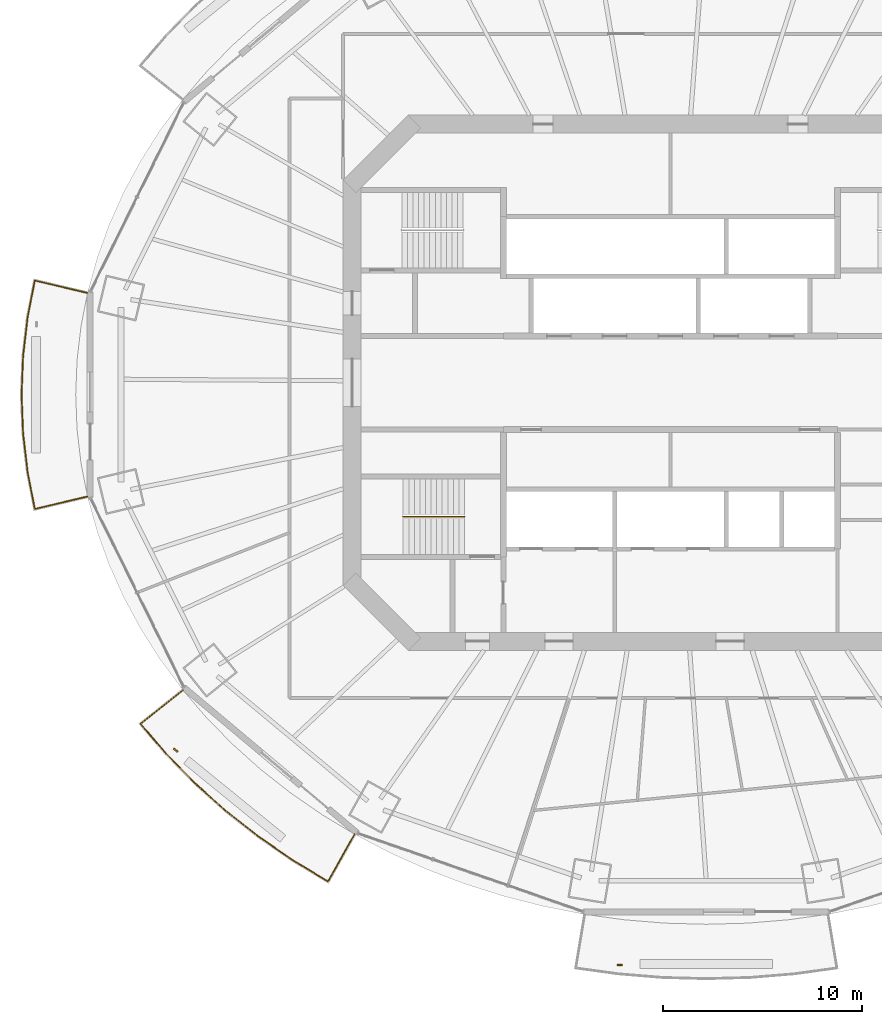
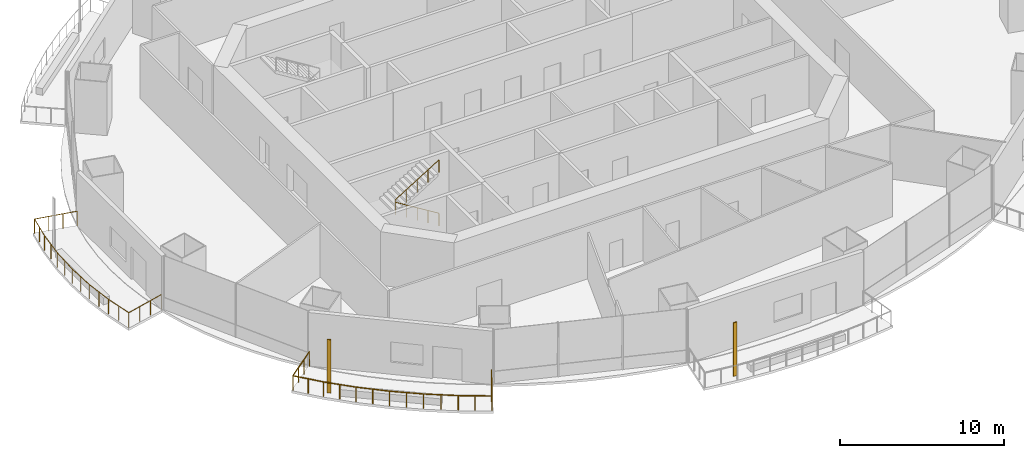
# One storey, part 16 of 21: 3 railings, 2 shading devices.
"""IFC4 building model written with IfcOpenShell, lengths in metres."""

import ifcopenshell
import ifcopenshell.guid

model = None  # the IFC model being written
_history = None  # IfcOwnerHistory: only IFC2X3 demands one
_inside = {}  # id of a spatial element -> (the spatial element, [elements in it])
_under = {}  # id of a project, library or spatial element -> (it, [spatial elements below it])
_declared = {}  # id of a project -> (the project, [libraries it declares])
_typed = {}  # id of a type object -> (the type object, [elements of that type])
_made_of = {}  # id of a material, layer set ... -> (it, [elements and type objects made of it])


def new_model(schema):
    """Start an empty IFC model of exactly this schema.

    Asked for "IFC4X3", IfcOpenShell would pick the latest addendum, in which some entities
    have other attributes; the version numbers below select the first issue.
    IFC2X3 requires an IfcOwnerHistory on every rooted entity: one is made here for all.
    """
    global model, _history
    if schema == "IFC4X3":
        model = ifcopenshell.file(schema_version=(4, 3, 0, 0))
    else:
        model = ifcopenshell.file(schema=schema)
    _inside.clear()
    _under.clear()
    _declared.clear()
    _typed.clear()
    _made_of.clear()
    _history = None
    if model.schema == "IFC2X3":
        org = make("IfcOrganization", Name="unknown")
        user = make(
            "IfcPersonAndOrganization",
            ThePerson=make("IfcPerson", FamilyName="unknown"),
            TheOrganization=org,
        )
        app = make(
            "IfcApplication",
            ApplicationDeveloper=org,
            Version="unknown",
            ApplicationFullName="unknown",
            ApplicationIdentifier="unknown",
        )
        _history = make(
            "IfcOwnerHistory",
            OwningUser=user,
            OwningApplication=app,
            ChangeAction="ADDED",
            CreationDate=0,
        )
    return model


def make(cls, **values):
    """One entity of the class cls with the attributes given. An attribute that is None is left unset."""
    return model.create_entity(
        cls, **{name: value for name, value in values.items() if value is not None}
    )


def rooted(cls, **values):
    """An entity with a GlobalId (a new one), such as an element, a storey or a relation."""
    return make(cls, GlobalId=ifcopenshell.guid.new(), OwnerHistory=_history, **values)


def si_unit(unit_type, name, prefix=None):
    """IfcSIUnit, for example si_unit("LENGTHUNIT", "METRE", prefix="MILLI")."""
    return make("IfcSIUnit", UnitType=unit_type, Prefix=prefix, Name=name)


def assignment(units):
    """IfcUnitAssignment: the units of a project."""
    return None if units is None else make("IfcUnitAssignment", Units=units)


def point(xyz):
    """IfcCartesianPoint."""
    return None if xyz is None else make("IfcCartesianPoint", Coordinates=xyz)


def direction(xyz):
    """IfcDirection."""
    return None if xyz is None else make("IfcDirection", DirectionRatios=xyz)


def frame(location, z_axis=None, x_axis=None):
    """IfcAxis2Placement3D, a coordinate frame: its origin and axes. An axis left out is left unset."""
    return make(
        "IfcAxis2Placement3D",
        Location=point(location),
        Axis=direction(z_axis),
        RefDirection=direction(x_axis),
    )


def frame_2d(location, x_axis=None):
    """IfcAxis2Placement2D, a coordinate frame in the plane: its origin and x axis."""
    return make(
        "IfcAxis2Placement2D", Location=point(location), RefDirection=direction(x_axis)
    )


def origin():
    """The frame at (0, 0, 0) with its axes left unset."""
    return frame((0.0, 0.0, 0.0))


def origin_2d():
    """The frame at (0, 0) in the plane with its x axis left unset."""
    return frame_2d((0.0, 0.0))


def place(relative_to, where):
    """IfcLocalPlacement: puts the frame where relative to a parent placement (None: the world)."""
    return make(
        "IfcLocalPlacement", PlacementRelTo=relative_to, RelativePlacement=where
    )


def context(
    kind, dimensions, precision=None, world=None, true_north=None, identifier=None
):
    """IfcGeometricRepresentationContext, for example the 3D "Model" context."""
    return make(
        "IfcGeometricRepresentationContext",
        ContextIdentifier=identifier,
        ContextType=kind,
        CoordinateSpaceDimension=dimensions,
        Precision=precision,
        WorldCoordinateSystem=world,
        TrueNorth=true_north,
    )


def subcontext(parent, identifier, kind, view, scale=None):
    """IfcGeometricRepresentationSubContext, for example "Body" below "Model"."""
    return make(
        "IfcGeometricRepresentationSubContext",
        ContextIdentifier=identifier,
        ContextType=kind,
        ParentContext=parent,
        TargetScale=scale,
        TargetView=view,
    )


def project(units=None, contexts=None):
    """IfcProject with its units and contexts."""
    return rooted(
        "IfcProject",
        Name="project",
        RepresentationContexts=contexts,
        UnitsInContext=assignment(units),
    )


def spatial(cls, under=None, at=None, **own):
    """A site, building, storey or space (cls), placed at a placement, below another one or the project."""
    s = rooted(cls, ObjectPlacement=at, **own)
    if under is not None:
        _under.setdefault(under.id(), (under, []))[1].append(s)
    return s


def profile(cls, at=None, kind="AREA", **sizes):
    """A parametric profile (cls). Its sizes go by their IFC names, for example OverallWidth=200.0."""
    return make(cls, ProfileType=kind, Position=at, **sizes)


def rectangle(**sizes):
    """IfcRectangleProfileDef."""
    return profile("IfcRectangleProfileDef", **sizes)


def circle(**sizes):
    """IfcCircleProfileDef."""
    return profile("IfcCircleProfileDef", **sizes)


def extrude(swept, where, along, depth):
    """IfcExtrudedAreaSolid: the profile swept, set in the frame where, extruded along a direction by depth."""
    return make(
        "IfcExtrudedAreaSolid",
        SweptArea=swept,
        Position=where,
        ExtrudedDirection=direction(along),
        Depth=depth,
    )


def shape(context_of_items, identifier, shape_type, items):
    """IfcShapeRepresentation: the items that make up one representation, for example the "Body"."""
    return make(
        "IfcShapeRepresentation",
        ContextOfItems=context_of_items,
        RepresentationIdentifier=identifier,
        RepresentationType=shape_type,
        Items=items,
    )


def material(Name=None, Category=None):
    """IfcMaterial."""
    return make("IfcMaterial", Name=Name, Category=Category)


def material_profile(
    of_material, cross_section, Name=None, Category=None, Priority=None
):
    """IfcMaterialProfile: a cross section and its material."""
    return make(
        "IfcMaterialProfile",
        Name=Name,
        Material=of_material,
        Profile=cross_section,
        Priority=Priority,
        Category=Category,
    )


def profile_set(profiles, Name=None, composite=None):
    """IfcMaterialProfileSet."""
    return make(
        "IfcMaterialProfileSet",
        Name=Name,
        MaterialProfiles=profiles,
        CompositeProfile=composite,
    )


def made_of(thing, what):
    """Note that an element or type object is made of a material, layer set ...; save() writes the relation."""
    if what is not None:
        _made_of.setdefault(what.id(), (what, []))[1].append(thing)
    return thing


def type_object(cls, material=None, **own):
    """A type object (cls), such as IfcWallType, which elements share."""
    return made_of(rooted(cls, **own), material)


def element(
    cls,
    number,
    at=None,
    inside=None,
    cuts=None,
    type_object=None,
    material=None,
    context=None,
    identifier="Body",
    shape_type=None,
    held_by="IfcProductDefinitionShape",
    body=None,
    shapes=None,
    **own,
):
    """One element of the class cls, such as IfcWall. Its Tag is "e" and its number.

    at: its placement. inside: the storey or other place that contains it. cuts: it is an
    opening in that element (IfcRelVoidsElement). A single representation is given by context,
    identifier, shape_type and body (its items); several are given by shapes. held_by: the class
    of the entity that holds the representations. save() writes the other relations.
    """
    e = rooted(cls, Tag="e%d" % number, ObjectPlacement=at, **own)
    if body is not None:
        shapes = [shape(context, identifier, shape_type, body)]
    if shapes is not None:
        e.Representation = make(held_by, Representations=shapes)
    if inside is not None:
        _inside.setdefault(inside.id(), (inside, []))[1].append(e)
    if cuts is not None:
        rooted(
            "IfcRelVoidsElement", RelatingBuildingElement=cuts, RelatedOpeningElement=e
        )
    if type_object is not None:
        _typed.setdefault(type_object.id(), (type_object, []))[1].append(e)
    return made_of(e, material)


def aggregate(whole, parts):
    """IfcRelAggregates: a whole, such as a stair, and the parts it consists of."""
    return rooted("IfcRelAggregates", RelatingObject=whole, RelatedObjects=parts)


def save(model, path):
    """Write the relations noted so far, then the file.

    IfcRelAggregates (storeys below a building ...), IfcRelContainedInSpatialStructure (elements
    in a storey), IfcRelDefinesByType, IfcRelAssociatesMaterial and IfcRelDeclares: one each for
    every whole, place, type object, material and project.
    """
    for whole, parts in _under.values():
        aggregate(whole, parts)
    for where, things in _inside.values():
        rooted(
            "IfcRelContainedInSpatialStructure",
            RelatedElements=things,
            RelatingStructure=where,
        )
    for kind, things in _typed.values():
        rooted("IfcRelDefinesByType", RelatedObjects=things, RelatingType=kind)
    for what, things in _made_of.values():
        rooted("IfcRelAssociatesMaterial", RelatedObjects=things, RelatingMaterial=what)
    for by, libraries in _declared.values():
        rooted("IfcRelDeclares", RelatingContext=by, RelatedDefinitions=libraries)
    model.write(path)


model = new_model("IFC4")

# Units and contexts
model_context = context("Model", 3, precision=1e-05, world=origin(), true_north=direction((0.0, 1.0)))
body_context = subcontext(model_context, "Body", "Model", "MODEL_VIEW")
ifc_project = project(units=[si_unit("LENGTHUNIT", "METRE"), si_unit("AREAUNIT", "SQUARE_METRE"), si_unit("VOLUMEUNIT", "CUBIC_METRE"), si_unit("PLANEANGLEUNIT", "RADIAN"), si_unit("MASSUNIT", "GRAM", prefix="KILO")], contexts=[model_context])

# Site, building, storey
site_placement = place(None, origin())
site = spatial("IfcSite", under=ifc_project, at=site_placement, CompositionType="ELEMENT")
building_placement = place(site_placement, origin())
building = spatial("IfcBuilding", under=site, at=building_placement, Name="Marenthal Gate Tower", CompositionType="ELEMENT")
storey_placement = place(building_placement, frame((0.0, 0.0, 202.550048828125)))
storey = spatial("IfcBuildingStorey", under=building, at=storey_placement, Name="L44", CompositionType="ELEMENT", Elevation=202.550048828125)

# Railings
ifc_material_1 = material(Name="Stainless steel", Category="steel")
railing_type_1 = type_object("IfcRailingType", Name="Balcony guard 1100", PredefinedType="GUARDRAIL", material=ifc_material_1)
railing_1_placement = place(storey_placement, frame((-29.301513671875, -5.71435546875, 0.0)))
element("IfcRailing", 1, at=railing_1_placement, inside=storey, type_object=railing_type_1, Name="Balcony guard L44 bay 8", PredefinedType="GUARDRAIL", context=body_context, shape_type="SweptSolid", body=[
    extrude(circle(Radius=0.02392578125, at=origin_2d()), frame((0.0, 0.0, 1.076171875), z_axis=(-0.973007168768, -0.230304989859, -0.014719414784), x_axis=(0.230329942988, -0.973112592336, 0.0)), (0.0, 0.0, 1.0), 2.72021484375),
    extrude(circle(Radius=0.02392578125, at=origin_2d()), frame((-2.646728515625, -0.62646484375, 1.0361328125), z_axis=(-0.191345653043, 0.98152271551, 0.0), x_axis=(-0.98152271551, -0.191345653043, 0.0)), (0.0, 0.0, 1.0), 1.880615234375),
    extrude(circle(Radius=0.02392578125, at=origin_2d()), frame((-3.006591796875, 1.219482421875, 1.0361328125), z_axis=(-0.116457405552, 0.993195687008, 0.0), x_axis=(-0.993195687008, -0.116457405552, 0.0)), (0.0, 0.0, 1.0), 1.9560546875),
    extrude(circle(Radius=0.02392578125, at=origin_2d()), frame((-3.234375, 3.162109375, 1.0361328125), z_axis=(-0.038989839597, 0.999239607105, 0.0), x_axis=(-0.999239607105, -0.038989839597, 0.0)), (0.0, 0.0, 1.0), 1.95361328125),
    extrude(circle(Radius=0.02392578125, at=origin_2d()), frame((-3.310546875, 5.1142578125, 1.0361328125), z_axis=(0.038989839597, 0.999239607105, 0.0), x_axis=(-0.999239607105, 0.038989839597, 0.0)), (0.0, 0.0, 1.0), 1.95361328125),
    extrude(circle(Radius=0.02392578125, at=origin_2d()), frame((-3.234375, 7.06640625, 1.0361328125), z_axis=(0.116442969982, 0.993197379548, 0.0), x_axis=(-0.993197379548, 0.116442969982, 0.0)), (0.0, 0.0, 1.0), 1.956298828125),
    extrude(circle(Radius=0.02392578125, at=origin_2d()), frame((-3.006591796875, 9.00927734375, 1.0361328125), z_axis=(0.191345653043, 0.98152271551, 0.0), x_axis=(-0.98152271551, 0.191345653043, 0.0)), (0.0, 0.0, 1.0), 1.880615234375),
    extrude(circle(Radius=0.02392578125, at=origin_2d()), frame((-2.646728515625, 10.855224609375, 1.0361328125), z_axis=(0.973007168768, -0.230304989859, 0.014719414784), x_axis=(0.230329942988, 0.973112592336, 0.0)), (0.0, 0.0, 1.0), 2.72021484375),
    extrude(circle(Radius=0.02099609375, at=origin_2d()), origin(), (0.0, 0.0, 1.0), 1.052001953125),
    extrude(circle(Radius=0.02099609375, at=origin_2d()), frame((-0.88232421875, -0.208740234375, -0.013427734375)), (0.0, 0.0, 1.0), 1.052001953125),
    extrude(circle(Radius=0.02099609375, at=origin_2d()), frame((-1.764404296875, -0.417724609375, -0.026611328125)), (0.0, 0.0, 1.0), 1.052001953125),
    extrude(circle(Radius=0.02099609375, at=origin_2d()), frame((-2.646728515625, -0.62646484375, -0.0400390625)), (0.0, 0.0, 1.0), 1.052001953125),
    extrude(circle(Radius=0.02099609375, at=origin_2d()), frame((-2.82666015625, 0.29638671875, -0.0400390625)), (0.0, 0.0, 1.0), 1.052001953125),
    extrude(circle(Radius=0.02099609375, at=origin_2d()), frame((-3.006591796875, 1.219482421875, -0.0400390625)), (0.0, 0.0, 1.0), 1.052001953125),
    extrude(circle(Radius=0.02099609375, at=origin_2d()), frame((-3.12060546875, 2.19091796875, -0.0400390625)), (0.0, 0.0, 1.0), 1.052001953125),
    extrude(circle(Radius=0.02099609375, at=origin_2d()), frame((-3.234375, 3.162109375, -0.0400390625)), (0.0, 0.0, 1.0), 1.052001953125),
    extrude(circle(Radius=0.02099609375, at=origin_2d()), frame((-3.2724609375, 4.13818359375, -0.0400390625)), (0.0, 0.0, 1.0), 1.052001953125),
    extrude(circle(Radius=0.02099609375, at=origin_2d()), frame((-3.310546875, 5.1142578125, -0.0400390625)), (0.0, 0.0, 1.0), 1.052001953125),
    extrude(circle(Radius=0.02099609375, at=origin_2d()), frame((-3.2724609375, 6.09033203125, -0.0400390625)), (0.0, 0.0, 1.0), 1.052001953125),
    extrude(circle(Radius=0.02099609375, at=origin_2d()), frame((-3.234375, 7.06640625, -0.0400390625)), (0.0, 0.0, 1.0), 1.052001953125),
    extrude(circle(Radius=0.02099609375, at=origin_2d()), frame((-3.12060546875, 8.037841796875, -0.0400390625)), (0.0, 0.0, 1.0), 1.052001953125),
    extrude(circle(Radius=0.02099609375, at=origin_2d()), frame((-3.006591796875, 9.00927734375, -0.0400390625)), (0.0, 0.0, 1.0), 1.052001953125),
    extrude(circle(Radius=0.02099609375, at=origin_2d()), frame((-2.82666015625, 9.93212890625, -0.0400390625)), (0.0, 0.0, 1.0), 1.052001953125),
    extrude(circle(Radius=0.02099609375, at=origin_2d()), frame((-2.646728515625, 10.855224609375, -0.0400390625)), (0.0, 0.0, 1.0), 1.052001953125),
    extrude(circle(Radius=0.02099609375, at=origin_2d()), frame((-1.764404296875, 10.646484375, -0.026611328125)), (0.0, 0.0, 1.0), 1.052001953125),
    extrude(circle(Radius=0.02099609375, at=origin_2d()), frame((-0.88232421875, 10.4375, -0.013427734375)), (0.0, 0.0, 1.0), 1.052001953125),
    extrude(circle(Radius=0.02099609375, at=origin_2d()), frame((0.0, 10.228759765625, 0.0)), (0.0, 0.0, 1.0), 1.052001953125),
])
railing_2_placement = place(storey_placement, frame((-15.876953125, -22.6904296875, 0.0)))
element("IfcRailing", 2, at=railing_2_placement, inside=storey, type_object=railing_type_1, Name="Balcony guard L44 bay 10", PredefinedType="GUARDRAIL", context=body_context, shape_type="SweptSolid", body=[
    extrude(circle(Radius=0.02392578125, at=origin_2d()), frame((0.0, 0.0, 1.076171875), z_axis=(-0.489585880475, -0.871830841967, -0.014718988891), x_axis=(0.871925297796, -0.48963892315, 0.0)), (0.0, 0.0, 1.0), 2.72021484375),
    extrude(circle(Radius=0.02392578125, at=origin_2d()), frame((-1.331787109375, -2.37158203125, 1.0361328125), z_axis=(-0.856221203989, 0.516609378389, 0.0), x_axis=(-0.516609378389, -0.856221203989, 0.0)), (0.0, 0.0, 1.0), 2.053955078125),
    extrude(circle(Radius=0.02392578125, at=origin_2d()), frame((-3.09033203125, -1.310546875, 1.0361328125), z_axis=(-0.823307575665, 0.56759548611, 0.0), x_axis=(-0.56759548611, -0.823307575665, 0.0)), (0.0, 0.0, 1.0), 2.11669921875),
    extrude(circle(Radius=0.02392578125, at=origin_2d()), frame((-4.8330078125, -0.109130859375, 1.0361328125), z_axis=(-0.785971142181, 0.618263183166, 0.0), x_axis=(-0.618263183166, -0.785971142181, 0.0)), (0.0, 0.0, 1.0), 2.09912109375),
    extrude(circle(Radius=0.02392578125, at=origin_2d()), frame((-6.48291015625, 1.188720703125, 1.0361328125), z_axis=(-0.744476957646, 0.667648155494, 0.0), x_axis=(-0.667648155494, -0.744476957646, 0.0)), (0.0, 0.0, 1.0), 2.081298828125),
    extrude(circle(Radius=0.02392578125, at=origin_2d()), frame((-8.032470703125, 2.578369140625, 1.0361328125), z_axis=(-0.698897192243, 0.715222143585, 0.0), x_axis=(-0.715222143585, -0.698897192243, 0.0)), (0.0, 0.0, 1.0), 2.063720703125),
    extrude(circle(Radius=0.02392578125, at=origin_2d()), frame((-9.474853515625, 4.054443359375, 1.0361328125), z_axis=(-0.650106163754, 0.759843389028, 0.0), x_axis=(-0.759843389028, -0.650106163754, 0.0)), (0.0, 0.0, 1.0), 1.966796875),
    extrude(circle(Radius=0.02392578125, at=origin_2d()), frame((-10.75341796875, 5.548828125, 1.0361328125), z_axis=(0.782776566638, 0.62212877321, 0.014718568783), x_axis=(-0.622196171988, 0.782861369313, 0.0)), (0.0, 0.0, 1.0), 2.72021484375),
    extrude(circle(Radius=0.02099609375, at=origin_2d()), origin(), (0.0, 0.0, 1.0), 1.052001953125),
    extrude(circle(Radius=0.02099609375, at=origin_2d()), frame((-0.44384765625, -0.79052734375, -0.013427734375)), (0.0, 0.0, 1.0), 1.052001953125),
    extrude(circle(Radius=0.02099609375, at=origin_2d()), frame((-0.887939453125, -1.5810546875, -0.026611328125)), (0.0, 0.0, 1.0), 1.052001953125),
    extrude(circle(Radius=0.02099609375, at=origin_2d()), frame((-1.331787109375, -2.37158203125, -0.0400390625)), (0.0, 0.0, 1.0), 1.052001953125),
    extrude(circle(Radius=0.02099609375, at=origin_2d()), frame((-2.2109375, -1.841064453125, -0.0400390625)), (0.0, 0.0, 1.0), 1.052001953125),
    extrude(circle(Radius=0.02099609375, at=origin_2d()), frame((-3.09033203125, -1.310546875, -0.0400390625)), (0.0, 0.0, 1.0), 1.052001953125),
    extrude(circle(Radius=0.02099609375, at=origin_2d()), frame((-3.961669921875, -0.7099609375, -0.0400390625)), (0.0, 0.0, 1.0), 1.052001953125),
    extrude(circle(Radius=0.02099609375, at=origin_2d()), frame((-4.8330078125, -0.109130859375, -0.0400390625)), (0.0, 0.0, 1.0), 1.052001953125),
    extrude(circle(Radius=0.02099609375, at=origin_2d()), frame((-5.657958984375, 0.539794921875, -0.0400390625)), (0.0, 0.0, 1.0), 1.052001953125),
    extrude(circle(Radius=0.02099609375, at=origin_2d()), frame((-6.48291015625, 1.188720703125, -0.0400390625)), (0.0, 0.0, 1.0), 1.052001953125),
    extrude(circle(Radius=0.02099609375, at=origin_2d()), frame((-7.2578125, 1.883544921875, -0.0400390625)), (0.0, 0.0, 1.0), 1.052001953125),
    extrude(circle(Radius=0.02099609375, at=origin_2d()), frame((-8.032470703125, 2.578369140625, -0.0400390625)), (0.0, 0.0, 1.0), 1.052001953125),
    extrude(circle(Radius=0.02099609375, at=origin_2d()), frame((-8.753662109375, 3.31640625, -0.0400390625)), (0.0, 0.0, 1.0), 1.052001953125),
    extrude(circle(Radius=0.02099609375, at=origin_2d()), frame((-9.474853515625, 4.054443359375, -0.0400390625)), (0.0, 0.0, 1.0), 1.052001953125),
    extrude(circle(Radius=0.02099609375, at=origin_2d()), frame((-10.1142578125, 4.8017578125, -0.0400390625)), (0.0, 0.0, 1.0), 1.052001953125),
    extrude(circle(Radius=0.02099609375, at=origin_2d()), frame((-10.75341796875, 5.548828125, -0.0400390625)), (0.0, 0.0, 1.0), 1.052001953125),
    extrude(circle(Radius=0.02099609375, at=origin_2d()), frame((-10.043701171875, 6.113037109375, -0.026611328125)), (0.0, 0.0, 1.0), 1.052001953125),
    extrude(circle(Radius=0.02099609375, at=origin_2d()), frame((-9.333740234375, 6.677001953125, -0.013427734375)), (0.0, 0.0, 1.0), 1.052001953125),
    extrude(circle(Radius=0.02099609375, at=origin_2d()), frame((-8.6240234375, 7.2412109375, 0.0)), (0.0, 0.0, 1.0), 1.052001953125),
])
ifc_material_2 = material(Name="Stainless steel", Category="steel")
railing_type_2 = type_object("IfcRailingType", Name="Stair handrail", PredefinedType="HANDRAIL", material=ifc_material_2)
railing_3_placement = place(storey_placement, frame((-10.35009765625, -6.72509765625, 0.1728515625)))
element("IfcRailing", 3, at=railing_3_placement, inside=storey, type_object=railing_type_2, Name="Handrail ST2", PredefinedType="HANDRAIL", context=body_context, shape_type="SweptSolid", body=[
    extrude(circle(Radius=0.0224609375, at=origin_2d()), frame((0.0, 0.0, 0.927490234375), z_axis=(-0.850816621229, 0.0, 0.525462726595), x_axis=(0.0, -1.0, 0.0)), (0.0, 0.0, 1.0), 3.619873046875),
    extrude(circle(Radius=0.0224609375, at=origin_2d()), frame((-3.079833984375, 0.0, 2.82958984375), z_axis=(0.0, 0.0, 1.0), x_axis=(1.0, 0.0, 0.0)), (0.0, 0.0, 1.0), 0.1728515625),
    extrude(circle(Radius=0.0224609375, at=origin_2d()), frame((-3.079833984375, 0.0, 3.00244140625), z_axis=(0.850816621229, 0.0, 0.525462726595), x_axis=(0.0, 1.0, 0.0)), (0.0, 0.0, 1.0), 3.619873046875),
    extrude(circle(Radius=0.02001953125, at=origin_2d()), origin(), (0.0, 0.0, 1.0), 0.905029296875),
    extrude(circle(Radius=0.02001953125, at=origin_2d()), frame((-0.77001953125, 0.0, 0.4755859375)), (0.0, 0.0, 1.0), 0.905029296875),
    extrude(circle(Radius=0.02001953125, at=origin_2d()), frame((-1.5400390625, 0.0, 0.951171875)), (0.0, 0.0, 1.0), 0.905029296875),
    extrude(circle(Radius=0.02001953125, at=origin_2d()), frame((-2.309814453125, 0.0, 1.426513671875)), (0.0, 0.0, 1.0), 0.905029296875),
    extrude(circle(Radius=0.02001953125, at=origin_2d()), frame((-3.079833984375, 0.0, 1.902099609375)), (0.0, 0.0, 1.0), 0.905029296875),
    extrude(circle(Radius=0.02001953125, at=origin_2d()), frame((-3.079833984375, 0.0, 2.074951171875)), (0.0, 0.0, 1.0), 0.905029296875),
    extrude(circle(Radius=0.02001953125, at=origin_2d()), frame((-2.309814453125, 0.0, 2.550537109375)), (0.0, 0.0, 1.0), 0.905029296875),
    extrude(circle(Radius=0.02001953125, at=origin_2d()), frame((-1.5400390625, 0.0, 3.02587890625)), (0.0, 0.0, 1.0), 0.905029296875),
    extrude(circle(Radius=0.02001953125, at=origin_2d()), frame((-0.77001953125, 0.0, 3.50146484375)), (0.0, 0.0, 1.0), 0.905029296875),
    extrude(circle(Radius=0.02001953125, at=origin_2d()), frame((0.0, 0.0, 3.97705078125)), (0.0, 0.0, 1.0), 0.905029296875),
])

# Shading devices
ifc_material_3 = material(Name="Terracotta", Category="masonry")
ifc_material_profile = material_profile(ifc_material_3, rectangle(XDim=0.25, YDim=0.080078125, at=origin_2d()), Name="Terracotta baguette 250x80")
ifc_profile_set = profile_set([ifc_material_profile], Name="Terracotta")
shading_device_type = type_object("IfcShadingDeviceType", Name="Terracotta BAGUETTE SCREEN 250x80", PredefinedType="USERDEFINED", material=ifc_profile_set)
for number, where, z_axis, x_axis, name in (
    (4, (-24.8701171875, -18.467529296875, -0.0400390625), (0.0, 0.0, 1.0), (0.765704864788, -0.643192086425, 0.0), "Terracotta BAGUETTE L44 bay 10L"),
    (5, (-2.544189453125, -29.260009765625, -0.0400390625), (0.0, 0.0, 1.0), (1.0, 0.0, 0.0), "Terracotta BAGUETTE L44 bay 12L"),
):
    element("IfcShadingDevice", number, at=place(storey_placement, frame(where, z_axis=z_axis, x_axis=x_axis)), inside=storey, type_object=shading_device_type, Name=name, ObjectType="BAGUETTE SCREEN", PredefinedType="USERDEFINED", context=body_context, shape_type="SweptSolid", body=[
        extrude(rectangle(XDim=0.25, YDim=0.080078125, at=origin_2d()), origin(), (0.0, 0.0, 1.0), 3.969970703125),
    ])

save(model, "model.ifc")
